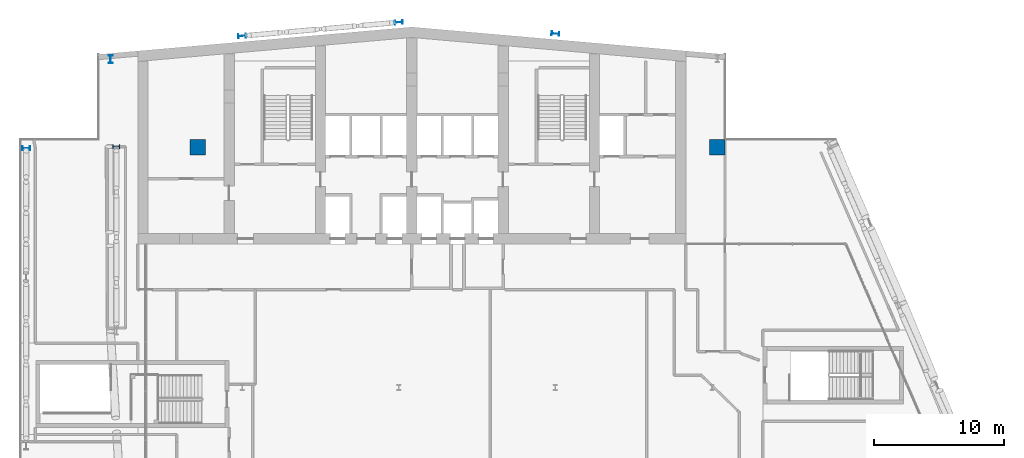
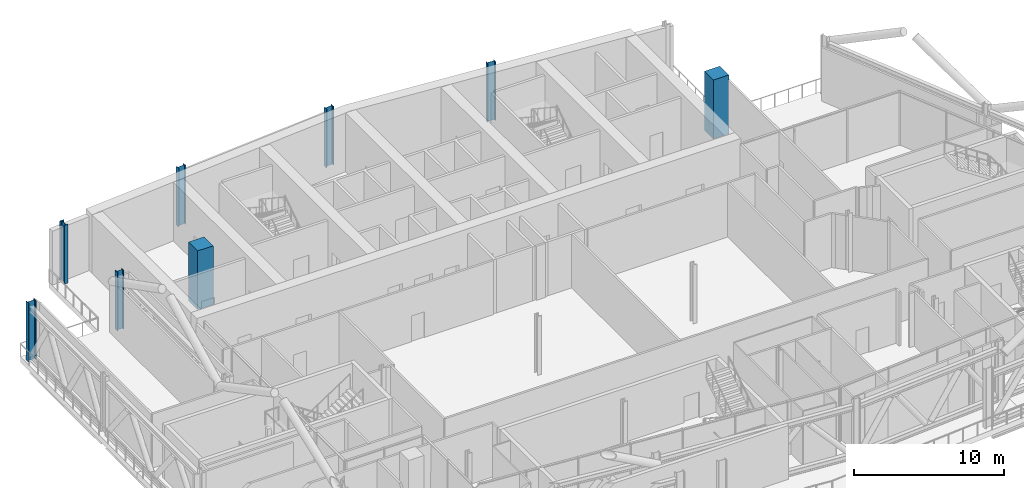
# One storey, part 3 of 35: 8 columns.
"""IFC4 building model written with IfcOpenShell, lengths in metres."""

from ifc_helpers import new_model, si_unit, direction, frame, origin, origin_2d, place, context, subcontext, project, spatial, rectangle, i_section, extrude, material, material_profile, profile_set, type_object, element, save


model = new_model("IFC4")

# Units and contexts
model_context = context("Model", 3, precision=1e-05, world=origin(), true_north=direction((0.0, 1.0)))
body_context = subcontext(model_context, "Body", "Model", "MODEL_VIEW")
ifc_project = project(units=[si_unit("LENGTHUNIT", "METRE"), si_unit("AREAUNIT", "SQUARE_METRE"), si_unit("VOLUMEUNIT", "CUBIC_METRE"), si_unit("PLANEANGLEUNIT", "RADIAN"), si_unit("MASSUNIT", "GRAM", prefix="KILO")], contexts=[model_context])

# Site, building, storey
site_placement = place(None, origin())
site = spatial("IfcSite", under=ifc_project, at=site_placement, CompositionType="ELEMENT")
building_placement = place(site_placement, origin())
building = spatial("IfcBuilding", under=site, at=building_placement, Name="Wharfspan Tower", CompositionType="ELEMENT")
storey_placement = place(building_placement, frame((0.0, 0.0, 202.300049)))
storey = spatial("IfcBuildingStorey", under=building, at=storey_placement, Name="L50", CompositionType="ELEMENT", Elevation=202.300049)

# Columns
ifc_material_1 = material(Name="Steel S355J2", Category="steel")
ifc_material_profile_1 = material_profile(ifc_material_1, i_section(OverallWidth=0.300049, OverallDepth=0.600098, WebThickness=0.015381, FlangeThickness=0.030029, FilletRadius=0.0271, at=origin_2d()))
ifc_profile_set_1 = profile_set([ifc_material_profile_1], Name="Steel S355J2")
column_type_1 = type_object("IfcColumnType", Name="Column HEB 600", PredefinedType="COLUMN", material=ifc_profile_set_1)
for number, where, z_axis, x_axis, name in (
    (1, (24.0, 49.937256, 0.0), (0.0, 0.0, 1.0), (-0.087156, 0.996198, 0.0), "Rear column R.1 L50"),
    (2, (36.0, 50.987061, 0.0), (0.0, 0.0, 1.0), (-0.087156, 0.996198, 0.0), "Rear column R.2 L50"),
    (3, (48.0, 50.112305, 0.0), (0.0, 0.0, 1.0), (0.087156, 0.996198, 0.0), "Rear column R.3 L50"),
):
    element("IfcColumn", number, at=place(storey_placement, frame(where, z_axis=z_axis, x_axis=x_axis)), inside=storey, type_object=column_type_1, Name=name, PredefinedType="COLUMN", context=body_context, shape_type="SweptSolid", body=[
        extrude(i_section(OverallWidth=0.300049, OverallDepth=0.600098, WebThickness=0.015381, FlangeThickness=0.030029, FilletRadius=0.0271, at=origin_2d()), origin(), (0.0, 0.0, 1.0), 4.800049),
    ])
ifc_material_profile_2 = material_profile(ifc_material_1, i_section(OverallWidth=0.305908, OverallDepth=0.523926, WebThickness=0.020996, FlangeThickness=0.040039, FilletRadius=0.0271, at=origin_2d()))
ifc_profile_set_2 = profile_set([ifc_material_profile_2], Name="Steel S355J2")
column_type_2 = type_object("IfcColumnType", Name="Column HEM 500", PredefinedType="COLUMN", material=ifc_profile_set_2)
column_placement = place(storey_placement, frame((14.356934, 41.459717, 0.0), z_axis=(0.0, 0.0, 1.0), x_axis=(0.0, 1.0, 0.0)))
element("IfcColumn", 4, at=column_placement, inside=storey, type_object=column_type_2, Name="Perimeter column PNRW-H.1 L50", PredefinedType="COLUMN", context=body_context, shape_type="SweptSolid", body=[
    extrude(i_section(OverallWidth=0.305908, OverallDepth=0.523926, WebThickness=0.020996, FlangeThickness=0.040039, FilletRadius=0.0271, at=origin_2d()), origin(), (0.0, 0.0, 1.0), 4.800049),
])
ifc_material_profile_3 = material_profile(ifc_material_1, i_section(OverallWidth=0.304932, OverallDepth=0.620117, WebThickness=0.020996, FlangeThickness=0.040039, FilletRadius=0.0271, at=origin_2d()))
ifc_profile_set_3 = profile_set([ifc_material_profile_3], Name="Steel S355J2")
column_type_3 = type_object("IfcColumnType", Name="Column HEM 600", PredefinedType="COLUMN", material=ifc_profile_set_3)
for number, where, z_axis, x_axis, name in (
    (5, (13.911133, 48.141113, 0.0), (0.0, 0.0, 1.0), (-1.0, 0.0, 0.0), "Perimeter column PNRW-V.1.S L50"),
    (6, (7.450439, 41.333008, 0.0), (0.0, 0.0, 1.0), (0.0, 1.0, 0.0), "Perimeter column PNRW-H.1.S L50"),
):
    element("IfcColumn", number, at=place(storey_placement, frame(where, z_axis=z_axis, x_axis=x_axis)), inside=storey, type_object=column_type_3, Name=name, PredefinedType="COLUMN", context=body_context, shape_type="SweptSolid", body=[
        extrude(i_section(OverallWidth=0.304932, OverallDepth=0.620117, WebThickness=0.020996, FlangeThickness=0.040039, FilletRadius=0.0271, at=origin_2d()), origin(), (0.0, 0.0, 1.0), 4.800049),
    ])
ifc_material_2 = material(Name="Concrete C50/60", Category="concrete")
ifc_material_profile_4 = material_profile(ifc_material_2, rectangle(XDim=1.199951, YDim=1.199951, at=origin_2d()))
ifc_profile_set_4 = profile_set([ifc_material_profile_4], Name="Concrete C50/60")
column_type_4 = type_object("IfcColumnType", Name="Mega column 1200 C50/60", PredefinedType="COLUMN", material=ifc_profile_set_4)
for number, where, z_axis, x_axis, name in (
    (7, (20.600098, 41.399902, 0.0), (0.0, 0.0, 1.0), (1.0, 0.0, 0.0), "Mega column MC2 L50"),
    (8, (60.399902, 41.399902, 0.0), (0.0, 0.0, 1.0), (1.0, 0.0, 0.0), "Mega column MC3 L50"),
):
    element("IfcColumn", number, at=place(storey_placement, frame(where, z_axis=z_axis, x_axis=x_axis)), inside=storey, type_object=column_type_4, Name=name, PredefinedType="COLUMN", context=body_context, shape_type="SweptSolid", body=[
        extrude(rectangle(XDim=1.199951, YDim=1.199951, at=origin_2d()), origin(), (0.0, 0.0, 1.0), 4.800049),
    ])

save(model, "model.ifc")
